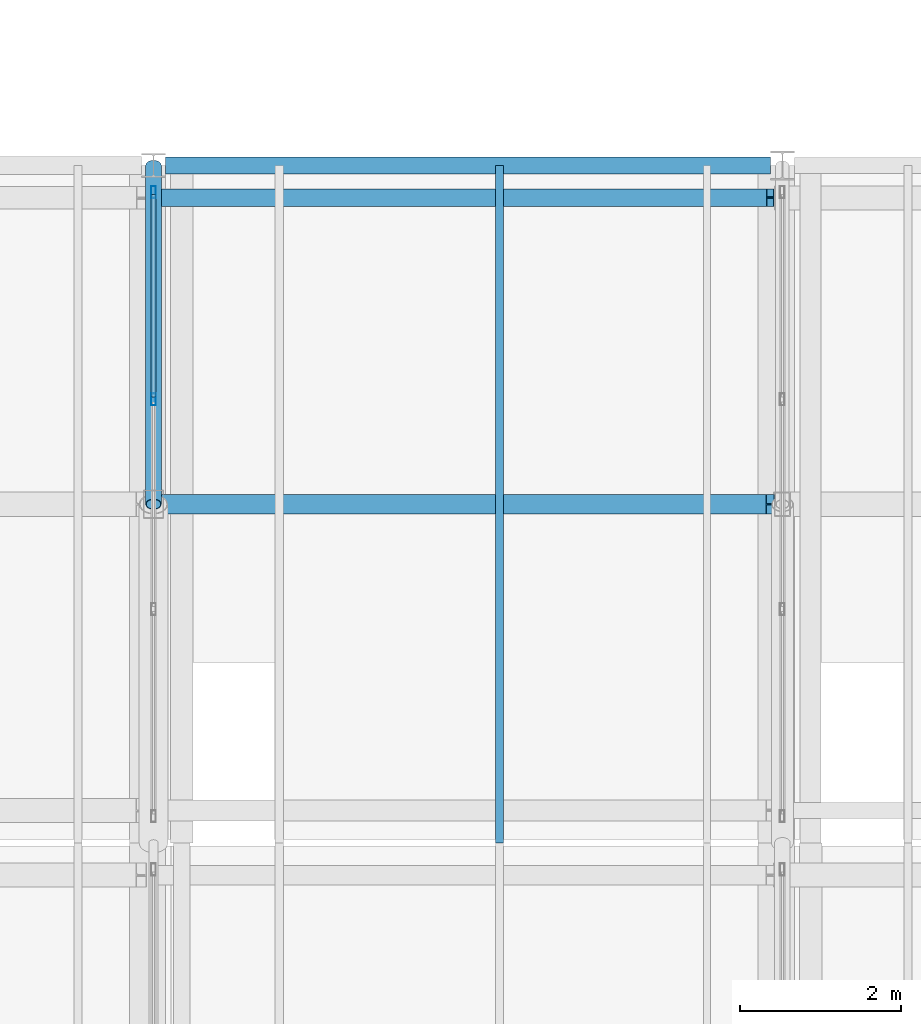
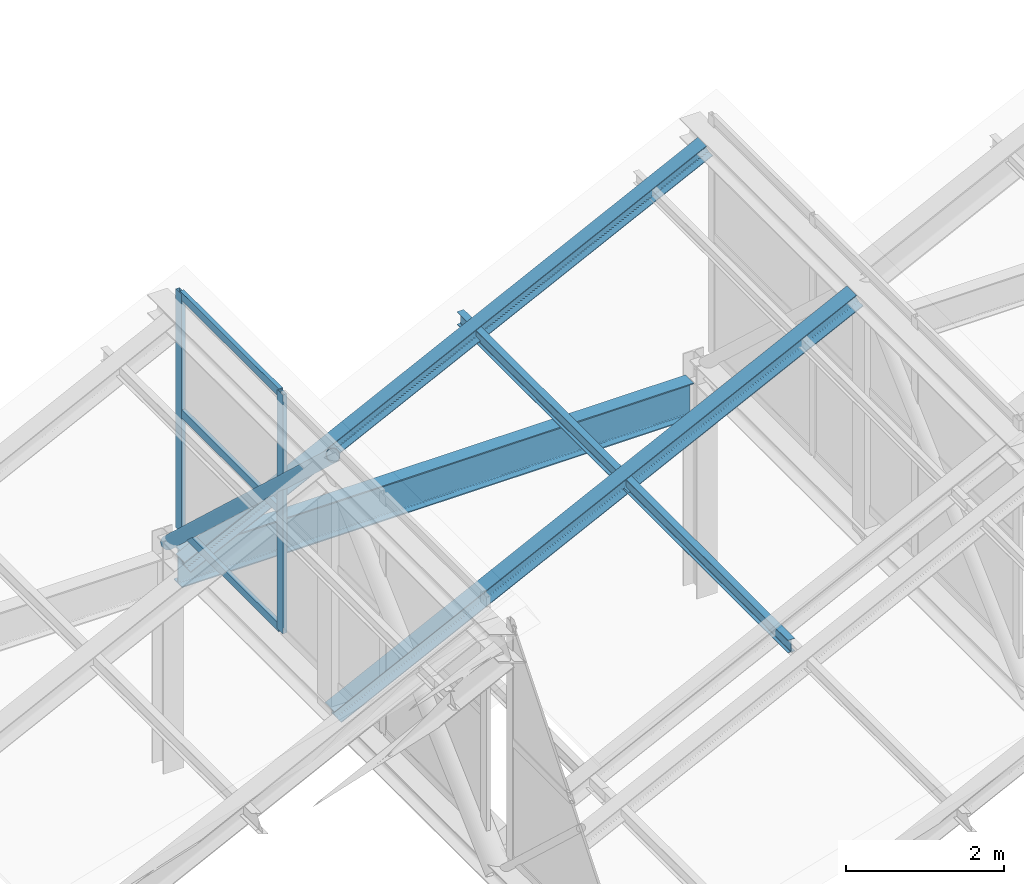
# One storey, part 25 of 101: 9 members, 1 beam, 1 element without a shape of its own.
"""IFC4 building model written with IfcOpenShell, lengths in metres."""

from ifc_helpers import new_model, si_unit, direction, frame, origin, origin_2d, place, context, subcontext, project, spatial, hollow_rectangle, hollow_circle, i_section, extrude, material, layer, layer_set, material_profile, profile_set, type_object, element, aggregate, save


model = new_model("IFC4")

# Units and contexts
model_context = context("Model", 3, precision=1e-05, world=origin(), true_north=direction((0.0, 1.0)))
body_context = subcontext(model_context, "Body", "Model", "MODEL_VIEW")
ifc_project = project(units=[si_unit("LENGTHUNIT", "METRE"), si_unit("AREAUNIT", "SQUARE_METRE"), si_unit("VOLUMEUNIT", "CUBIC_METRE"), si_unit("PLANEANGLEUNIT", "RADIAN"), si_unit("MASSUNIT", "GRAM", prefix="KILO")], contexts=[model_context])

# Site, building, storey
site_placement = place(None, origin())
site = spatial("IfcSite", under=ifc_project, at=site_placement, CompositionType="ELEMENT")
building_placement = place(site_placement, origin())
building = spatial("IfcBuilding", under=site, at=building_placement, Name="Zizhar Promenade General Hospital", CompositionType="ELEMENT")
storey_placement = place(building_placement, frame((0.0, 0.0, 14.39990234375)))
storey = spatial("IfcBuildingStorey", under=building, at=storey_placement, Name="L03", CompositionType="ELEMENT", Elevation=14.39990234375)

# Beam
ifc_material_1 = material(Name="Steel S355", Category="steel")
ifc_material_profile_1 = material_profile(ifc_material_1, i_section(OverallWidth=0.2099609375, OverallDepth=0.550048828125, WebThickness=0.010986328125, FlangeThickness=0.01708984375, FilletRadius=0.02392578125, at=origin_2d()))
ifc_profile_set_1 = profile_set([ifc_material_profile_1], Name="Steel S355")
beam_type = type_object("IfcBeamType", Name="BM-STL-IPE550", PredefinedType="BEAM", material=ifc_profile_set_1)
beam_placement = place(storey_placement, frame((85.949951171875, 50.39990234375, 3.03515625), z_axis=(1.0, 0.0, 0.0), x_axis=(0.0, 1.0, 0.0)))
element("IfcBeam", 1, at=beam_placement, inside=storey, type_object=beam_type, Name="Grid Beam X L03 (11-6)", PredefinedType="BEAM", context=body_context, shape_type="SweptSolid", body=[
    extrude(i_section(OverallWidth=0.2099609375, OverallDepth=0.550048828125, WebThickness=0.010986328125, FlangeThickness=0.01708984375, FilletRadius=0.02392578125, at=origin_2d()), origin(), (0.0, 0.0, 1.0), 7.5),
])

# Curtain wall, members
ifc_material_2 = material(Name="Anodised aluminium 6063-T6 and low-E glass", Category="aluminium")
ifc_layer = layer(ifc_material_2, 0.159912109375)
ifc_layer_set = layer_set([ifc_layer], Name="Anodised aluminium 6063-T6 and low-E glass")
curtain_wall_type = type_object("IfcCurtainWallType", Name="CW-SAW-NL3", PredefinedType="NOTDEFINED", material=ifc_layer_set)
curtain_wall_placement = place(storey_placement, origin())
curtain_wall = element("IfcCurtainWall", 2, at=curtain_wall_placement, inside=storey, type_object=curtain_wall_type, Name="Sawtooth Clerestory Light B2-S3", PredefinedType="NOTDEFINED")
ifc_material_3 = material(Name="Anodised aluminium 6063-T6", Category="aluminium")
ifc_material_profile_2 = material_profile(ifc_material_3, hollow_rectangle(XDim=0.06005859375, YDim=0.14990234375, WallThickness=0.00390625, at=origin_2d()))
ifc_profile_set_2 = profile_set([ifc_material_profile_2], Name="Anodised aluminium 6063-T6")
member_type_1 = type_object("IfcMemberType", Name="CWM-ALU-150x60", PredefinedType="MULLION", material=ifc_profile_set_2)
member_1_placement = place(storey_placement, frame((85.800048828125, 47.5, 3.85009765625), z_axis=(0.0, 0.0, 1.0), x_axis=(-1.0, 0.0, 0.0)))
member_1 = element("IfcMember", 3, at=member_1_placement, type_object=member_type_1, Name="CW-05 mullion 3", PredefinedType="MULLION", context=body_context, shape_type="SweptSolid", body=[
    extrude(hollow_rectangle(XDim=0.06005859375, YDim=0.14990234375, WallThickness=0.00390625, at=origin_2d()), origin(), (0.0, 0.0, 1.0), 3.699951171875),
])
member_2_placement = place(storey_placement, frame((85.800048828125, 50.070068359375, 3.85009765625), z_axis=(0.0, 0.0, 1.0), x_axis=(-1.0, 0.0, 0.0)))
member_2 = element("IfcMember", 4, at=member_2_placement, type_object=member_type_1, Name="CW-05 mullion 4", PredefinedType="MULLION", context=body_context, shape_type="SweptSolid", body=[
    extrude(hollow_rectangle(XDim=0.06005859375, YDim=0.14990234375, WallThickness=0.00390625, at=origin_2d()), origin(), (0.0, 0.0, 1.0), 3.699951171875),
])
ifc_material_4 = material(Name="Anodised aluminium 6063-T6", Category="aluminium")
ifc_material_profile_3 = material_profile(ifc_material_4, hollow_rectangle(XDim=0.06005859375, YDim=0.1201171875, WallThickness=0.00390625, at=origin_2d()))
ifc_profile_set_3 = profile_set([ifc_material_profile_3], Name="Anodised aluminium 6063-T6")
member_type_2 = type_object("IfcMemberType", Name="CWT-ALU-120x60", PredefinedType="USERDEFINED", material=ifc_profile_set_3)
member_3_placement = place(storey_placement, frame((85.800048828125, 47.530029296875, 3.880126953125), z_axis=(0.0, 1.0, 0.0), x_axis=(-1.0, 0.0, 0.0)))
member_3 = element("IfcMember", 5, at=member_3_placement, type_object=member_type_2, Name="CW-05 transom 3.1", ObjectType="TRANSOM", PredefinedType="USERDEFINED", context=body_context, shape_type="SweptSolid", body=[
    extrude(hollow_rectangle(XDim=0.06005859375, YDim=0.1201171875, WallThickness=0.00390625, at=origin_2d()), origin(), (0.0, 0.0, 1.0), 2.510009765625),
])
member_4_placement = place(storey_placement, frame((85.800048828125, 47.530029296875, 5.7001953125), z_axis=(0.0, 1.0, 0.0), x_axis=(-1.0, 0.0, 0.0)))
member_4 = element("IfcMember", 6, at=member_4_placement, type_object=member_type_2, Name="CW-05 transom 3.2", ObjectType="TRANSOM", PredefinedType="USERDEFINED", context=body_context, shape_type="SweptSolid", body=[
    extrude(hollow_rectangle(XDim=0.06005859375, YDim=0.1201171875, WallThickness=0.00390625, at=origin_2d()), origin(), (0.0, 0.0, 1.0), 2.510009765625),
])
member_5_placement = place(storey_placement, frame((85.800048828125, 47.530029296875, 7.52001953125), z_axis=(0.0, 1.0, 0.0), x_axis=(-1.0, 0.0, 0.0)))
member_5 = element("IfcMember", 7, at=member_5_placement, type_object=member_type_2, Name="CW-05 transom 3.3", ObjectType="TRANSOM", PredefinedType="USERDEFINED", context=body_context, shape_type="SweptSolid", body=[
    extrude(hollow_rectangle(XDim=0.06005859375, YDim=0.1201171875, WallThickness=0.00390625, at=origin_2d()), origin(), (0.0, 0.0, 1.0), 2.510009765625),
])
aggregate(curtain_wall, [member_1, member_2, member_3, member_4, member_5])

# Members
ifc_material_5 = material(Name="Steel S355", Category="steel")
ifc_material_profile_4 = material_profile(ifc_material_5, hollow_circle(Radius=0.096923828125, WallThickness=0.008056640625, at=origin_2d()))
ifc_profile_set_4 = profile_set([ifc_material_profile_4], Name="Steel S355")
member_type_3 = type_object("IfcMemberType", Name="MEM-DIAG-CHS194", PredefinedType="BRACE", material=ifc_profile_set_4)
member_6_placement = place(storey_placement, frame((85.800048828125, 50.39990234375, 3.4501953125), z_axis=(0.0, -0.732798043082, 0.680446197767), x_axis=(1.0, 0.0, 0.0)))
element("IfcMember", 8, at=member_6_placement, inside=storey, type_object=member_type_3, Name="Sawtooth Truss Frame 3 Diagonal B3", PredefinedType="BRACE", context=body_context, shape_type="SweptSolid", body=[
    extrude(hollow_circle(Radius=0.096923828125, WallThickness=0.008056640625, at=origin_2d()), origin(), (0.0, 0.0, 1.0), 5.7314453125),
])
ifc_material_6 = material(Name="Steel S355", Category="steel")
ifc_material_profile_5 = material_profile(ifc_material_6, i_section(OverallWidth=0.10009765625, OverallDepth=0.199951171875, WebThickness=0.005615234375, FlangeThickness=0.008544921875, FilletRadius=0.011962890625, at=origin_2d()))
ifc_profile_set_5 = profile_set([ifc_material_profile_5], Name="Steel S355")
member_type_4 = type_object("IfcMemberType", Name="MEM-PURL-IPE200", PredefinedType="PURLIN", material=ifc_profile_set_5)
member_7_placement = place(storey_placement, frame((90.090087890625, 42.0, 5.444580078125), z_axis=(0.0, 1.0, 0.0), x_axis=(-1.0, 0.0, 0.0)))
element("IfcMember", 9, at=member_7_placement, inside=storey, type_object=member_type_4, Name="Sawtooth Bay 3 Purlin 3-2", PredefinedType="PURLIN", context=body_context, shape_type="SweptSolid", body=[
    extrude(i_section(OverallWidth=0.10009765625, OverallDepth=0.199951171875, WebThickness=0.005615234375, FlangeThickness=0.008544921875, FilletRadius=0.011962890625, at=origin_2d()), origin(), (0.0, 0.0, 1.0), 8.39990234375),
])
ifc_material_7 = material(Name="Steel S355", Category="steel")
ifc_material_profile_6 = material_profile(ifc_material_7, i_section(OverallWidth=0.219970703125, OverallDepth=0.2099609375, WebThickness=0.007080078125, FlangeThickness=0.010986328125, FilletRadius=0.01806640625, at=origin_2d()))
ifc_profile_set_6 = profile_set([ifc_material_profile_6], Name="Steel S355")
member_type_5 = type_object("IfcMemberType", Name="MEM-RAFT-HEA220", PredefinedType="RAFTER", material=ifc_profile_set_6)
member_8_placement = place(storey_placement, frame((85.800048828125, 50.0, 3.3759765625), z_axis=(0.896704881356, 0.0, 0.442628914276), x_axis=(0.0, 1.0, 0.0)))
element("IfcMember", 10, at=member_8_placement, inside=storey, type_object=member_type_5, Name="Sawtooth Bay 3 Rafter 3-3", PredefinedType="RAFTER", context=body_context, shape_type="SweptSolid", body=[
    extrude(i_section(OverallWidth=0.219970703125, OverallDepth=0.2099609375, WebThickness=0.007080078125, FlangeThickness=0.010986328125, FilletRadius=0.01806640625, at=origin_2d()), origin(), (0.0, 0.0, 1.0), 8.531005859375),
])
ifc_material_8 = material(Name="Steel S355", Category="steel")
ifc_material_profile_7 = material_profile(ifc_material_8, i_section(OverallWidth=0.239990234375, OverallDepth=0.22998046875, WebThickness=0.007568359375, FlangeThickness=0.011962890625, FilletRadius=0.02099609375, at=origin_2d()))
ifc_profile_set_7 = profile_set([ifc_material_profile_7], Name="Steel S355")
member_type_6 = type_object("IfcMemberType", Name="MEM-RAFT-HEA240", PredefinedType="RAFTER", material=ifc_profile_set_7)
member_9_placement = place(storey_placement, frame((85.800048828125, 46.199951171875, 3.364990234375), z_axis=(0.896704881356, 0.0, 0.442628914276), x_axis=(0.0, 1.0, 0.0)))
element("IfcMember", 11, at=member_9_placement, inside=storey, type_object=member_type_6, Name="Sawtooth Bay 3 Rafter 3-2", PredefinedType="RAFTER", context=body_context, shape_type="SweptSolid", body=[
    extrude(i_section(OverallWidth=0.239990234375, OverallDepth=0.22998046875, WebThickness=0.007568359375, FlangeThickness=0.011962890625, FilletRadius=0.02099609375, at=origin_2d()), origin(), (0.0, 0.0, 1.0), 8.531005859375),
])

save(model, "model.ifc")
